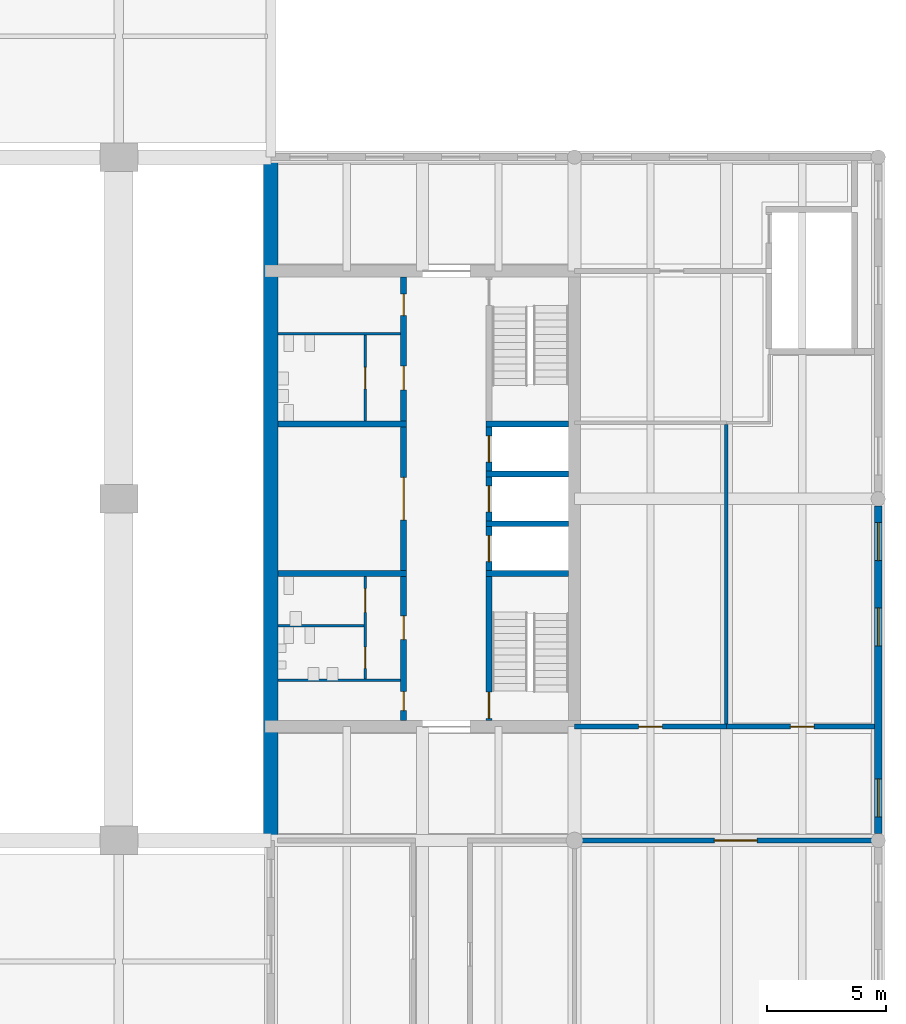
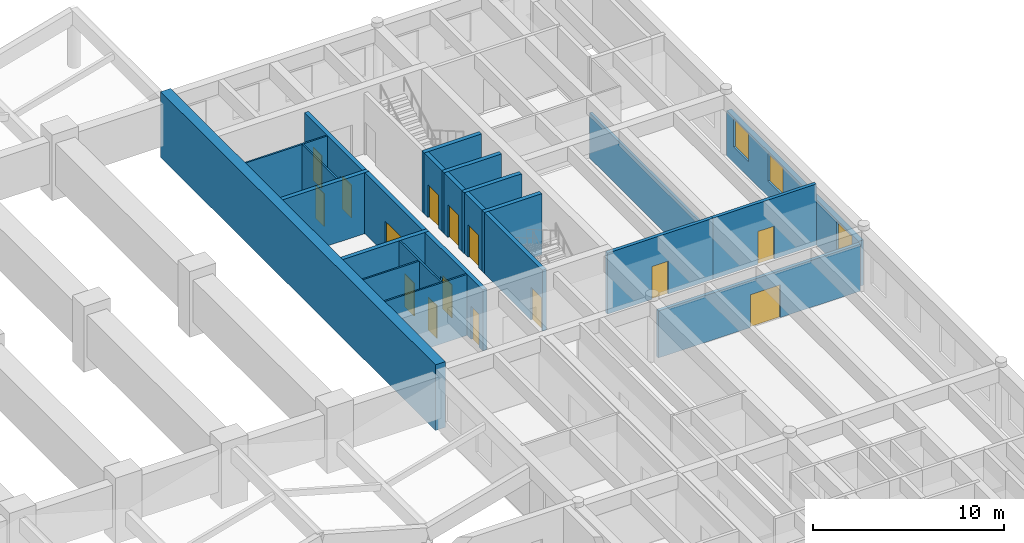
# One storey, part 12 of 19: 24 walls, 15 doors, 3 windows, 18 openings.
"""IFC4 building model written with IfcOpenShell, lengths in metres."""

import ifcopenshell
import ifcopenshell.guid

model = None  # the IFC model being written
_history = None  # IfcOwnerHistory: only IFC2X3 demands one
_inside = {}  # id of a spatial element -> (the spatial element, [elements in it])
_under = {}  # id of a project, library or spatial element -> (it, [spatial elements below it])
_declared = {}  # id of a project -> (the project, [libraries it declares])
_typed = {}  # id of a type object -> (the type object, [elements of that type])
_made_of = {}  # id of a material, layer set ... -> (it, [elements and type objects made of it])


def new_model(schema):
    """Start an empty IFC model of exactly this schema.

    Asked for "IFC4X3", IfcOpenShell would pick the latest addendum, in which some entities
    have other attributes; the version numbers below select the first issue.
    IFC2X3 requires an IfcOwnerHistory on every rooted entity: one is made here for all.
    """
    global model, _history
    if schema == "IFC4X3":
        model = ifcopenshell.file(schema_version=(4, 3, 0, 0))
    else:
        model = ifcopenshell.file(schema=schema)
    _inside.clear()
    _under.clear()
    _declared.clear()
    _typed.clear()
    _made_of.clear()
    _history = None
    if model.schema == "IFC2X3":
        org = make("IfcOrganization", Name="unknown")
        user = make(
            "IfcPersonAndOrganization",
            ThePerson=make("IfcPerson", FamilyName="unknown"),
            TheOrganization=org,
        )
        app = make(
            "IfcApplication",
            ApplicationDeveloper=org,
            Version="unknown",
            ApplicationFullName="unknown",
            ApplicationIdentifier="unknown",
        )
        _history = make(
            "IfcOwnerHistory",
            OwningUser=user,
            OwningApplication=app,
            ChangeAction="ADDED",
            CreationDate=0,
        )
    return model


def make(cls, **values):
    """One entity of the class cls with the attributes given. An attribute that is None is left unset."""
    return model.create_entity(
        cls, **{name: value for name, value in values.items() if value is not None}
    )


def rooted(cls, **values):
    """An entity with a GlobalId (a new one), such as an element, a storey or a relation."""
    return make(cls, GlobalId=ifcopenshell.guid.new(), OwnerHistory=_history, **values)


def si_unit(unit_type, name, prefix=None):
    """IfcSIUnit, for example si_unit("LENGTHUNIT", "METRE", prefix="MILLI")."""
    return make("IfcSIUnit", UnitType=unit_type, Prefix=prefix, Name=name)


def assignment(units):
    """IfcUnitAssignment: the units of a project."""
    return None if units is None else make("IfcUnitAssignment", Units=units)


def point(xyz):
    """IfcCartesianPoint."""
    return None if xyz is None else make("IfcCartesianPoint", Coordinates=xyz)


def direction(xyz):
    """IfcDirection."""
    return None if xyz is None else make("IfcDirection", DirectionRatios=xyz)


def frame(location, z_axis=None, x_axis=None):
    """IfcAxis2Placement3D, a coordinate frame: its origin and axes. An axis left out is left unset."""
    return make(
        "IfcAxis2Placement3D",
        Location=point(location),
        Axis=direction(z_axis),
        RefDirection=direction(x_axis),
    )


def frame_2d(location, x_axis=None):
    """IfcAxis2Placement2D, a coordinate frame in the plane: its origin and x axis."""
    return make(
        "IfcAxis2Placement2D", Location=point(location), RefDirection=direction(x_axis)
    )


def origin():
    """The frame at (0, 0, 0) with its axes left unset."""
    return frame((0.0, 0.0, 0.0))


def place(relative_to, where):
    """IfcLocalPlacement: puts the frame where relative to a parent placement (None: the world)."""
    return make(
        "IfcLocalPlacement", PlacementRelTo=relative_to, RelativePlacement=where
    )


def context(
    kind, dimensions, precision=None, world=None, true_north=None, identifier=None
):
    """IfcGeometricRepresentationContext, for example the 3D "Model" context."""
    return make(
        "IfcGeometricRepresentationContext",
        ContextIdentifier=identifier,
        ContextType=kind,
        CoordinateSpaceDimension=dimensions,
        Precision=precision,
        WorldCoordinateSystem=world,
        TrueNorth=true_north,
    )


def subcontext(parent, identifier, kind, view, scale=None):
    """IfcGeometricRepresentationSubContext, for example "Body" below "Model"."""
    return make(
        "IfcGeometricRepresentationSubContext",
        ContextIdentifier=identifier,
        ContextType=kind,
        ParentContext=parent,
        TargetScale=scale,
        TargetView=view,
    )


def project(units=None, contexts=None):
    """IfcProject with its units and contexts."""
    return rooted(
        "IfcProject",
        Name="project",
        RepresentationContexts=contexts,
        UnitsInContext=assignment(units),
    )


def spatial(cls, under=None, at=None, **own):
    """A site, building, storey or space (cls), placed at a placement, below another one or the project."""
    s = rooted(cls, ObjectPlacement=at, **own)
    if under is not None:
        _under.setdefault(under.id(), (under, []))[1].append(s)
    return s


def profile(cls, at=None, kind="AREA", **sizes):
    """A parametric profile (cls). Its sizes go by their IFC names, for example OverallWidth=200.0."""
    return make(cls, ProfileType=kind, Position=at, **sizes)


def rectangle(**sizes):
    """IfcRectangleProfileDef."""
    return profile("IfcRectangleProfileDef", **sizes)


def extrude(swept, where, along, depth):
    """IfcExtrudedAreaSolid: the profile swept, set in the frame where, extruded along a direction by depth."""
    return make(
        "IfcExtrudedAreaSolid",
        SweptArea=swept,
        Position=where,
        ExtrudedDirection=direction(along),
        Depth=depth,
    )


def shape(context_of_items, identifier, shape_type, items):
    """IfcShapeRepresentation: the items that make up one representation, for example the "Body"."""
    return make(
        "IfcShapeRepresentation",
        ContextOfItems=context_of_items,
        RepresentationIdentifier=identifier,
        RepresentationType=shape_type,
        Items=items,
    )


def material(Name=None, Category=None):
    """IfcMaterial."""
    return make("IfcMaterial", Name=Name, Category=Category)


def layer(
    of_material, thickness, ventilated=None, Name=None, Category=None, Priority=None
):
    """IfcMaterialLayer: one layer of a wall or slab, of a material (None: an air gap)."""
    return make(
        "IfcMaterialLayer",
        Material=of_material,
        LayerThickness=thickness,
        IsVentilated=ventilated,
        Name=Name,
        Category=Category,
        Priority=Priority,
    )


def layer_set(layers, Name=None):
    """IfcMaterialLayerSet."""
    return make("IfcMaterialLayerSet", MaterialLayers=layers, LayerSetName=Name)


def made_of(thing, what):
    """Note that an element or type object is made of a material, layer set ...; save() writes the relation."""
    if what is not None:
        _made_of.setdefault(what.id(), (what, []))[1].append(thing)
    return thing


def type_object(cls, material=None, **own):
    """A type object (cls), such as IfcWallType, which elements share."""
    return made_of(rooted(cls, **own), material)


def element(
    cls,
    number,
    at=None,
    inside=None,
    cuts=None,
    type_object=None,
    material=None,
    context=None,
    identifier="Body",
    shape_type=None,
    held_by="IfcProductDefinitionShape",
    body=None,
    shapes=None,
    **own,
):
    """One element of the class cls, such as IfcWall. Its Tag is "e" and its number.

    at: its placement. inside: the storey or other place that contains it. cuts: it is an
    opening in that element (IfcRelVoidsElement). A single representation is given by context,
    identifier, shape_type and body (its items); several are given by shapes. held_by: the class
    of the entity that holds the representations. save() writes the other relations.
    """
    e = rooted(cls, Tag="e%d" % number, ObjectPlacement=at, **own)
    if body is not None:
        shapes = [shape(context, identifier, shape_type, body)]
    if shapes is not None:
        e.Representation = make(held_by, Representations=shapes)
    if inside is not None:
        _inside.setdefault(inside.id(), (inside, []))[1].append(e)
    if cuts is not None:
        rooted(
            "IfcRelVoidsElement", RelatingBuildingElement=cuts, RelatedOpeningElement=e
        )
    if type_object is not None:
        _typed.setdefault(type_object.id(), (type_object, []))[1].append(e)
    return made_of(e, material)


def fill(opening, filler):
    """IfcRelFillsElement: the door or window that sits in an opening."""
    return rooted(
        "IfcRelFillsElement",
        RelatingOpeningElement=opening,
        RelatedBuildingElement=filler,
    )


def aggregate(whole, parts):
    """IfcRelAggregates: a whole, such as a stair, and the parts it consists of."""
    return rooted("IfcRelAggregates", RelatingObject=whole, RelatedObjects=parts)


def save(model, path):
    """Write the relations noted so far, then the file.

    IfcRelAggregates (storeys below a building ...), IfcRelContainedInSpatialStructure (elements
    in a storey), IfcRelDefinesByType, IfcRelAssociatesMaterial and IfcRelDeclares: one each for
    every whole, place, type object, material and project.
    """
    for whole, parts in _under.values():
        aggregate(whole, parts)
    for where, things in _inside.values():
        rooted(
            "IfcRelContainedInSpatialStructure",
            RelatedElements=things,
            RelatingStructure=where,
        )
    for kind, things in _typed.values():
        rooted("IfcRelDefinesByType", RelatedObjects=things, RelatingType=kind)
    for what, things in _made_of.values():
        rooted("IfcRelAssociatesMaterial", RelatedObjects=things, RelatingMaterial=what)
    for by, libraries in _declared.values():
        rooted("IfcRelDeclares", RelatingContext=by, RelatedDefinitions=libraries)
    model.write(path)


model = new_model("IFC4")

# Units and contexts
model_context = context("Model", 3, precision=1e-05, world=origin(), true_north=direction((0.0, 1.0)))
body_context = subcontext(model_context, "Body", "Model", "MODEL_VIEW")
ifc_project = project(units=[si_unit("LENGTHUNIT", "METRE"), si_unit("AREAUNIT", "SQUARE_METRE"), si_unit("VOLUMEUNIT", "CUBIC_METRE"), si_unit("PLANEANGLEUNIT", "RADIAN"), si_unit("MASSUNIT", "GRAM", prefix="KILO")], contexts=[model_context])

# Site, building, storey
site_placement = place(None, origin())
site = spatial("IfcSite", under=ifc_project, at=site_placement, CompositionType="ELEMENT")
building_placement = place(site_placement, origin())
building = spatial("IfcBuilding", under=site, at=building_placement, Name="Fogon Plaza Fire Station and Headquarters Tower", CompositionType="ELEMENT")
storey_placement = place(building_placement, frame((0.0, 0.0, 4.199951171875)))
storey = spatial("IfcBuildingStorey", under=building, at=storey_placement, Name="L01", CompositionType="ELEMENT", Elevation=4.199951171875)

# Wall
ifc_material_1 = material(Name="Acoustic Gypsum Partition")
ifc_layer_1 = layer(ifc_material_1, 0.14990234375)
ifc_layer_set_1 = layer_set([ifc_layer_1], Name="Acoustic Gypsum Partition")
wall_type_1 = type_object("IfcWallType", Name="Acoustic Partition 150 Beam Head 1000", PredefinedType="PARTITIONING", material=ifc_layer_set_1)
wall_1_placement = place(storey_placement, frame((83.199951171875, 33.699951171875, 0.0), z_axis=(0.0, 0.0, 1.0), x_axis=(0.0, 1.0, 0.0)))
element("IfcWall", 1, at=wall_1_placement, inside=storey, type_object=wall_type_1, Name="wall-L01-E-047", PredefinedType="PARTITIONING", context=body_context, shape_type="SweptSolid", body=[
    extrude(rectangle(XDim=12.625, YDim=0.14990234375, at=frame_2d((6.3125, 0.0))), origin(), (0.0, 0.0, 1.0), 2.900146484375),
])

# Wall, openings, windows
ifc_material_2 = material(Name="Concrete C40", Category="concrete")
ifc_layer_2 = layer(ifc_material_2, 0.300048828125)
ifc_layer_set_2 = layer_set([ifc_layer_2], Name="Concrete C40")
wall_type_2 = type_object("IfcWallType", Name="Board-marked RC Infill Wall 300 Beam Head 100", PredefinedType="SOLIDWALL", material=ifc_layer_set_2)
wall_2_placement = place(storey_placement, frame((89.60009765625, 29.10009765625, 0.0), z_axis=(0.0, 0.0, 1.0), x_axis=(0.0, 1.0, 0.0)))
wall_2 = element("IfcWall", 2, at=wall_2_placement, inside=storey, type_object=wall_type_2, Name="Exterior wall EE L01", PredefinedType="SOLIDWALL", context=body_context, shape_type="SweptSolid", body=[
    extrude(rectangle(XDim=13.7998046875, YDim=0.300048828125, at=frame_2d((6.89990234375, 0.0))), origin(), (0.0, 0.0, 1.0), 2.900146484375),
])
opening_1_placement = place(wall_2_placement, frame((0.699951171875, 0.0, 1.0)))
opening_1 = element("IfcOpeningElement", 3, at=opening_1_placement, cuts=wall_2, Name="Opening W1", PredefinedType="OPENING", context=body_context, shape_type="SweptSolid", body=[
    extrude(rectangle(XDim=1.60009765625, YDim=1.800048828125, at=frame_2d((0.800048828125, 0.89990234375))), frame((0.0, 0.159912109375, 0.0), z_axis=(0.0, -1.0, 0.0), x_axis=(1.0, 0.0, 0.0)), (0.0, 0.0, 1.0), 0.320068359375),
])
opening_2_placement = place(wall_2_placement, frame((7.89990234375, 0.0, 1.0)))
opening_2 = element("IfcOpeningElement", 4, at=opening_2_placement, cuts=wall_2, Name="Opening W1", PredefinedType="OPENING", context=body_context, shape_type="SweptSolid", body=[
    extrude(rectangle(XDim=1.60009765625, YDim=1.800048828125, at=frame_2d((0.800048828125, 0.89990234375))), frame((0.0, 0.159912109375, 0.0), z_axis=(0.0, -1.0, 0.0), x_axis=(1.0, 0.0, 0.0)), (0.0, 0.0, 1.0), 0.320068359375),
])
opening_3_placement = place(wall_2_placement, frame((11.5, 0.0, 1.0)))
opening_3 = element("IfcOpeningElement", 5, at=opening_3_placement, cuts=wall_2, Name="Opening W1", PredefinedType="OPENING", context=body_context, shape_type="SweptSolid", body=[
    extrude(rectangle(XDim=1.60009765625, YDim=1.800048828125, at=frame_2d((0.800048828125, 0.89990234375))), frame((0.0, 0.159912109375, 0.0), z_axis=(0.0, -1.0, 0.0), x_axis=(1.0, 0.0, 0.0)), (0.0, 0.0, 1.0), 0.320068359375),
])
ifc_material_3 = material(Name="Aluminium framed double glazing", Category="aluminium")
window_type = type_object("IfcWindowType", Name="Window W1 1600x1800", PartitioningType="SINGLE_PANEL", PredefinedType="WINDOW", material=ifc_material_3)
window_1_placement = place(opening_1_placement, origin())
window_1 = element("IfcWindow", 6, at=window_1_placement, inside=storey, type_object=window_type, Name="Window W1 E L01", OverallHeight=1.800048828125, OverallWidth=1.60009765625, PartitioningType="SINGLE_PANEL", PredefinedType="WINDOW", context=body_context, shape_type="SweptSolid", body=[
    extrude(rectangle(XDim=1.60009765625, YDim=1.800048828125, at=frame_2d((0.800048828125, 0.89990234375))), frame((0.0, 0.030029296875, 0.0), z_axis=(0.0, -1.0, 0.0), x_axis=(1.0, 0.0, 0.0)), (0.0, 0.0, 1.0), 0.06005859375),
])
fill(opening_1, window_1)
window_2_placement = place(opening_2_placement, origin())
window_2 = element("IfcWindow", 7, at=window_2_placement, inside=storey, type_object=window_type, Name="Window W1 E L01", OverallHeight=1.800048828125, OverallWidth=1.60009765625, PartitioningType="SINGLE_PANEL", PredefinedType="WINDOW", context=body_context, shape_type="SweptSolid", body=[
    extrude(rectangle(XDim=1.60009765625, YDim=1.800048828125, at=frame_2d((0.800048828125, 0.89990234375))), frame((0.0, 0.030029296875, 0.0), z_axis=(0.0, -1.0, 0.0), x_axis=(1.0, 0.0, 0.0)), (0.0, 0.0, 1.0), 0.06005859375),
])
fill(opening_2, window_2)
window_3_placement = place(opening_3_placement, origin())
window_3 = element("IfcWindow", 8, at=window_3_placement, inside=storey, type_object=window_type, Name="Window W1 E L01", OverallHeight=1.800048828125, OverallWidth=1.60009765625, PartitioningType="SINGLE_PANEL", PredefinedType="WINDOW", context=body_context, shape_type="SweptSolid", body=[
    extrude(rectangle(XDim=1.60009765625, YDim=1.800048828125, at=frame_2d((0.800048828125, 0.89990234375))), frame((0.0, 0.030029296875, 0.0), z_axis=(0.0, -1.0, 0.0), x_axis=(1.0, 0.0, 0.0)), (0.0, 0.0, 1.0), 0.06005859375),
])
fill(opening_3, window_3)

# Walls
ifc_material_4 = material(Name="Concrete C40", Category="concrete")
ifc_layer_3 = layer(ifc_material_4, 0.25)
ifc_layer_set_3 = layer_set([ifc_layer_3], Name="Concrete C40")
wall_type_3 = type_object("IfcWallType", Name="Core Wall RC 250", PredefinedType="SOLIDWALL", material=ifc_layer_set_3)
for number, where, z_axis, x_axis, name in (
    (9, (76.550048828125, 40.050048828125, 0.0), (0.0, 0.0, 1.0), (-1.0, 0.0, 0.0), "Core B shaft wall"),
    (10, (76.550048828125, 42.14990234375, 0.0), (0.0, 0.0, 1.0), (-1.0, 0.0, 0.0), "Core B shaft wall"),
    (11, (76.550048828125, 44.25, 0.0), (0.0, 0.0, 1.0), (-1.0, 0.0, 0.0), "Core B shaft wall"),
    (12, (76.550048828125, 46.35009765625, 0.0), (0.0, 0.0, 1.0), (-1.0, 0.0, 0.0), "Core B shaft wall"),
):
    element("IfcWall", number, at=place(storey_placement, frame(where, z_axis=z_axis, x_axis=x_axis)), inside=storey, type_object=wall_type_3, Name=name, PredefinedType="SOLIDWALL", context=body_context, shape_type="SweptSolid", body=[
        extrude(rectangle(XDim=3.47509765625, YDim=0.25, at=frame_2d((1.737548828125, 0.0))), origin(), (0.0, 0.0, 1.0), 3.900146484375),
    ])

# Wall, opening, door
wall_3_placement = place(storey_placement, frame((73.199951171875, 33.85009765625, 0.0), z_axis=(0.0, 0.0, 1.0), x_axis=(0.0, 1.0, 0.0)))
wall_3 = element("IfcWall", 13, at=wall_3_placement, inside=storey, type_object=wall_type_3, Name="Core B shaft wall", PredefinedType="SOLIDWALL", context=body_context, shape_type="SweptSolid", body=[
    extrude(rectangle(XDim=6.074951171875, YDim=0.25, at=frame_2d((3.03759765625, 0.0))), origin(), (0.0, 0.0, 1.0), 3.900146484375),
])
opening_4_placement = place(wall_3_placement, frame((0.10009765625, 0.0, 0.0)))
opening_4 = element("IfcOpeningElement", 14, at=opening_4_placement, cuts=wall_3, Name="Opening L01-D16", PredefinedType="OPENING", context=body_context, shape_type="SweptSolid", body=[
    extrude(rectangle(XDim=1.10009765625, YDim=2.10009765625, at=frame_2d((0.550048828125, 1.050048828125))), frame((0.0, 0.135009765625, 0.0), z_axis=(0.0, -1.0, 0.0), x_axis=(1.0, 0.0, 0.0)), (0.0, 0.0, 1.0), 0.27001953125),
])
ifc_material_5 = material(Name="Steel Fire Door Leaf", Category="steel")
door_type_1 = type_object("IfcDoorType", Name="Stair Door Single 1100x2100", OperationType="SINGLE_SWING_LEFT", PredefinedType="DOOR", material=ifc_material_5)
door_1_placement = place(opening_4_placement, frame((1.10009765625, 0.0, 0.0), z_axis=(0.0, 0.0, 1.0), x_axis=(-1.0, 0.0, 0.0)))
door_1 = element("IfcDoor", 15, at=door_1_placement, inside=storey, type_object=door_type_1, Name="Stair door ST3", OperationType="SINGLE_SWING_RIGHT", OverallHeight=2.10009765625, OverallWidth=1.10009765625, PredefinedType="DOOR", context=body_context, shape_type="SweptSolid", body=[
    extrude(rectangle(XDim=1.10009765625, YDim=2.10009765625, at=frame_2d((0.550048828125, 1.050048828125))), frame((0.0, 0.02490234375, 0.0), z_axis=(0.0, -1.0, 0.0), x_axis=(1.0, 0.0, 0.0)), (0.0, 0.0, 1.0), 0.050048828125),
])
fill(opening_4, door_1)

wall_4_placement = place(storey_placement, frame((73.199951171875, 40.175048828125, 0.0), z_axis=(0.0, 0.0, 1.0), x_axis=(0.0, 1.0, 0.0)))
wall_4 = element("IfcWall", 16, at=wall_4_placement, inside=storey, type_object=wall_type_3, Name="Core B shaft wall", PredefinedType="SOLIDWALL", context=body_context, shape_type="SweptSolid", body=[
    extrude(rectangle(XDim=1.849853515625, YDim=0.25, at=frame_2d((0.9248046875, 0.0))), origin(), (0.0, 0.0, 1.0), 3.900146484375),
])
opening_5_placement = place(wall_4_placement, frame((0.375, 0.0, 0.0)))
opening_5 = element("IfcOpeningElement", 17, at=opening_5_placement, cuts=wall_4, Name="Opening L01-D18", PredefinedType="OPENING", context=body_context, shape_type="SweptSolid", body=[
    extrude(rectangle(XDim=1.10009765625, YDim=2.10009765625, at=frame_2d((0.550048828125, 1.050048828125))), frame((0.0, 0.135009765625, 0.0), z_axis=(0.0, -1.0, 0.0), x_axis=(1.0, 0.0, 0.0)), (0.0, 0.0, 1.0), 0.27001953125),
])
ifc_material_6 = material(Name="Stainless Steel", Category="steel")
door_type_2 = type_object("IfcDoorType", Name="Lift Landing Door 1100x2100", OperationType="SLIDING_TO_LEFT", PredefinedType="DOOR", material=ifc_material_6)
door_2_placement = place(opening_5_placement, origin())
door_2 = element("IfcDoor", 18, at=door_2_placement, inside=storey, type_object=door_type_2, Name="Lift LP3 landing door", OperationType="SLIDING_TO_LEFT", OverallHeight=2.10009765625, OverallWidth=1.10009765625, PredefinedType="DOOR", context=body_context, shape_type="SweptSolid", body=[
    extrude(rectangle(XDim=1.10009765625, YDim=2.10009765625, at=frame_2d((0.550048828125, 1.050048828125))), frame((0.0, 0.02490234375, 0.0), z_axis=(0.0, -1.0, 0.0), x_axis=(1.0, 0.0, 0.0)), (0.0, 0.0, 1.0), 0.050048828125),
])
fill(opening_5, door_2)

wall_5_placement = place(storey_placement, frame((73.199951171875, 42.27490234375, 0.0), z_axis=(0.0, 0.0, 1.0), x_axis=(0.0, 1.0, 0.0)))
wall_5 = element("IfcWall", 19, at=wall_5_placement, inside=storey, type_object=wall_type_3, Name="Core B shaft wall", PredefinedType="SOLIDWALL", context=body_context, shape_type="SweptSolid", body=[
    extrude(rectangle(XDim=1.85009765625, YDim=0.25, at=frame_2d((0.925048828125, 0.0))), origin(), (0.0, 0.0, 1.0), 3.900146484375),
])
opening_6_placement = place(wall_5_placement, frame((0.375, 0.0, 0.0)))
opening_6 = element("IfcOpeningElement", 20, at=opening_6_placement, cuts=wall_5, Name="Opening L01-D19", PredefinedType="OPENING", context=body_context, shape_type="SweptSolid", body=[
    extrude(rectangle(XDim=1.10009765625, YDim=2.10009765625, at=frame_2d((0.550048828125, 1.050048828125))), frame((0.0, 0.135009765625, 0.0), z_axis=(0.0, -1.0, 0.0), x_axis=(1.0, 0.0, 0.0)), (0.0, 0.0, 1.0), 0.27001953125),
])
door_3_placement = place(opening_6_placement, origin())
door_3 = element("IfcDoor", 21, at=door_3_placement, inside=storey, type_object=door_type_2, Name="Lift LP4 landing door", OperationType="SLIDING_TO_LEFT", OverallHeight=2.10009765625, OverallWidth=1.10009765625, PredefinedType="DOOR", context=body_context, shape_type="SweptSolid", body=[
    extrude(rectangle(XDim=1.10009765625, YDim=2.10009765625, at=frame_2d((0.550048828125, 1.050048828125))), frame((0.0, 0.02490234375, 0.0), z_axis=(0.0, -1.0, 0.0), x_axis=(1.0, 0.0, 0.0)), (0.0, 0.0, 1.0), 0.050048828125),
])
fill(opening_6, door_3)

wall_6_placement = place(storey_placement, frame((73.199951171875, 44.375, 0.0), z_axis=(0.0, 0.0, 1.0), x_axis=(0.0, 1.0, 0.0)))
wall_6 = element("IfcWall", 22, at=wall_6_placement, inside=storey, type_object=wall_type_3, Name="Core B shaft wall", PredefinedType="SOLIDWALL", context=body_context, shape_type="SweptSolid", body=[
    extrude(rectangle(XDim=1.85009765625, YDim=0.25, at=frame_2d((0.925048828125, 0.0))), origin(), (0.0, 0.0, 1.0), 3.900146484375),
])
opening_7_placement = place(wall_6_placement, frame((0.375, 0.0, 0.0)))
opening_7 = element("IfcOpeningElement", 23, at=opening_7_placement, cuts=wall_6, Name="Opening L01-D20", PredefinedType="OPENING", context=body_context, shape_type="SweptSolid", body=[
    extrude(rectangle(XDim=1.10009765625, YDim=2.10009765625, at=frame_2d((0.550048828125, 1.050048828125))), frame((0.0, 0.135009765625, 0.0), z_axis=(0.0, -1.0, 0.0), x_axis=(1.0, 0.0, 0.0)), (0.0, 0.0, 1.0), 0.27001953125),
])
door_4_placement = place(opening_7_placement, origin())
door_4 = element("IfcDoor", 24, at=door_4_placement, inside=storey, type_object=door_type_2, Name="Lift FL2 landing door", OperationType="SLIDING_TO_LEFT", OverallHeight=2.10009765625, OverallWidth=1.10009765625, PredefinedType="DOOR", context=body_context, shape_type="SweptSolid", body=[
    extrude(rectangle(XDim=1.10009765625, YDim=2.10009765625, at=frame_2d((0.550048828125, 1.050048828125))), frame((0.0, 0.02490234375, 0.0), z_axis=(0.0, -1.0, 0.0), x_axis=(1.0, 0.0, 0.0)), (0.0, 0.0, 1.0), 0.050048828125),
])
fill(opening_7, door_4)

# Wall, openings, doors
wall_7_placement = place(storey_placement, frame((69.60009765625, 33.85009765625, 0.0), z_axis=(0.0, 0.0, 1.0), x_axis=(0.0, 1.0, 0.0)))
wall_7 = element("IfcWall", 25, at=wall_7_placement, inside=storey, type_object=wall_type_3, Name="Core B shaft wall", PredefinedType="SOLIDWALL", context=body_context, shape_type="SweptSolid", body=[
    extrude(rectangle(XDim=6.074951171875, YDim=0.25, at=frame_2d((3.03759765625, 0.0))), origin(), (0.0, 0.0, 1.0), 3.900146484375),
])
opening_8_placement = place(wall_7_placement, frame((0.425048828125, 0.0, 0.0)))
opening_8 = element("IfcOpeningElement", 26, at=opening_8_placement, cuts=wall_7, Name="Opening L01-D22", PredefinedType="OPENING", context=body_context, shape_type="SweptSolid", body=[
    extrude(rectangle(XDim=0.800048828125, YDim=2.10009765625, at=frame_2d((0.39990234375, 1.050048828125))), frame((0.0, 0.135009765625, 0.0), z_axis=(0.0, -1.0, 0.0), x_axis=(1.0, 0.0, 0.0)), (0.0, 0.0, 1.0), 0.27001953125),
])
opening_9_placement = place(wall_7_placement, frame((3.41259765625, 0.0, 0.0)))
opening_9 = element("IfcOpeningElement", 27, at=opening_9_placement, cuts=wall_7, Name="Opening L01-D23", PredefinedType="OPENING", context=body_context, shape_type="SweptSolid", body=[
    extrude(rectangle(XDim=1.0, YDim=2.10009765625, at=frame_2d((0.5, 1.050048828125))), frame((0.0, 0.135009765625, 0.0), z_axis=(0.0, -1.0, 0.0), x_axis=(1.0, 0.0, 0.0)), (0.0, 0.0, 1.0), 0.27001953125),
])
ifc_material_7 = material(Name="Timber Door Leaf", Category="wood")
door_type_3 = type_object("IfcDoorType", Name="Cleaner Store Single 800x2100", OperationType="SINGLE_SWING_LEFT", PredefinedType="DOOR", material=ifc_material_7)
door_5_placement = place(opening_8_placement, origin())
door_5 = element("IfcDoor", 28, at=door_5_placement, inside=storey, type_object=door_type_3, Name="Cleaner's store B door", OperationType="SINGLE_SWING_RIGHT", OverallHeight=2.10009765625, OverallWidth=0.800048828125, PredefinedType="DOOR", context=body_context, shape_type="SweptSolid", body=[
    extrude(rectangle(XDim=0.800048828125, YDim=2.10009765625, at=frame_2d((0.39990234375, 1.050048828125))), frame((0.0, 0.02490234375, 0.0), z_axis=(0.0, -1.0, 0.0), x_axis=(1.0, 0.0, 0.0)), (0.0, 0.0, 1.0), 0.050048828125),
])
fill(opening_8, door_5)
ifc_material_8 = material(Name="Timber fire door", Category="wood")
door_type_4 = type_object("IfcDoorType", Name="WC Lobby Single 1000x2100", OperationType="SINGLE_SWING_LEFT", PredefinedType="DOOR", material=ifc_material_8)
door_6_placement = place(opening_9_placement, origin())
door_6 = element("IfcDoor", 29, at=door_6_placement, inside=storey, type_object=door_type_4, Name="Men's WC lobby B door", OperationType="SINGLE_SWING_LEFT", OverallHeight=2.10009765625, OverallWidth=1.0, PredefinedType="DOOR", context=body_context, shape_type="SweptSolid", body=[
    extrude(rectangle(XDim=1.0, YDim=2.10009765625, at=frame_2d((0.5, 1.050048828125))), frame((0.0, 0.02490234375, 0.0), z_axis=(0.0, -1.0, 0.0), x_axis=(1.0, 0.0, 0.0)), (0.0, 0.0, 1.0), 0.050048828125),
])
fill(opening_9, door_6)

# Wall, opening, door
wall_8_placement = place(storey_placement, frame((69.60009765625, 40.175048828125, 0.0), z_axis=(0.0, 0.0, 1.0), x_axis=(0.0, 1.0, 0.0)))
wall_8 = element("IfcWall", 30, at=wall_8_placement, inside=storey, type_object=wall_type_3, Name="Core B shaft wall", PredefinedType="SOLIDWALL", context=body_context, shape_type="SweptSolid", body=[
    extrude(rectangle(XDim=6.050048828125, YDim=0.25, at=frame_2d((3.02490234375, 0.0))), origin(), (0.0, 0.0, 1.0), 3.900146484375),
])
opening_10_placement = place(wall_8_placement, frame((2.125, 0.0, 0.0)))
opening_10 = element("IfcOpeningElement", 31, at=opening_10_placement, cuts=wall_8, Name="Opening L01-D21", PredefinedType="OPENING", context=body_context, shape_type="SweptSolid", body=[
    extrude(rectangle(XDim=1.800048828125, YDim=2.10009765625, at=frame_2d((0.89990234375, 1.050048828125))), frame((0.0, 0.135009765625, 0.0), z_axis=(0.0, -1.0, 0.0), x_axis=(1.0, 0.0, 0.0)), (0.0, 0.0, 1.0), 0.27001953125),
])
ifc_material_9 = material(Name="Steel Fire Door Leaf", Category="steel")
door_type_5 = type_object("IfcDoorType", Name="Store Double 1800x2100", OperationType="DOUBLE_DOOR_SINGLE_SWING", PredefinedType="DOOR", material=ifc_material_9)
door_7_placement = place(opening_10_placement, origin())
door_7 = element("IfcDoor", 32, at=door_7_placement, inside=storey, type_object=door_type_5, Name="Service store B door", OperationType="DOUBLE_DOOR_SINGLE_SWING", OverallHeight=2.10009765625, OverallWidth=1.800048828125, PredefinedType="DOOR", context=body_context, shape_type="SweptSolid", body=[
    extrude(rectangle(XDim=1.800048828125, YDim=2.10009765625, at=frame_2d((0.89990234375, 1.050048828125))), frame((0.0, 0.02490234375, 0.0), z_axis=(0.0, -1.0, 0.0), x_axis=(1.0, 0.0, 0.0)), (0.0, 0.0, 1.0), 0.050048828125),
])
fill(opening_10, door_7)

# Wall, openings, doors
wall_9_placement = place(storey_placement, frame((69.60009765625, 46.47509765625, 0.0), z_axis=(0.0, 0.0, 1.0), x_axis=(0.0, 1.0, 0.0)))
wall_9 = element("IfcWall", 33, at=wall_9_placement, inside=storey, type_object=wall_type_3, Name="Core B shaft wall", PredefinedType="SOLIDWALL", context=body_context, shape_type="SweptSolid", body=[
    extrude(rectangle(XDim=6.074951171875, YDim=0.25, at=frame_2d((3.03759765625, 0.0))), origin(), (0.0, 0.0, 1.0), 3.900146484375),
])
opening_11_placement = place(wall_9_placement, frame((1.3125, 0.0, 0.0)))
opening_11 = element("IfcOpeningElement", 34, at=opening_11_placement, cuts=wall_9, Name="Opening L01-D26", PredefinedType="OPENING", context=body_context, shape_type="SweptSolid", body=[
    extrude(rectangle(XDim=1.0, YDim=2.10009765625, at=frame_2d((0.5, 1.050048828125))), frame((0.0, 0.135009765625, 0.0), z_axis=(0.0, -1.0, 0.0), x_axis=(1.0, 0.0, 0.0)), (0.0, 0.0, 1.0), 0.27001953125),
])
opening_12_placement = place(wall_9_placement, frame((4.449951171875, 0.0, 0.0)))
opening_12 = element("IfcOpeningElement", 35, at=opening_12_placement, cuts=wall_9, Name="Opening L01-D28", PredefinedType="OPENING", context=body_context, shape_type="SweptSolid", body=[
    extrude(rectangle(XDim=0.89990234375, YDim=2.10009765625, at=frame_2d((0.449951171875, 1.050048828125))), frame((0.0, 0.135009765625, 0.0), z_axis=(0.0, -1.0, 0.0), x_axis=(1.0, 0.0, 0.0)), (0.0, 0.0, 1.0), 0.27001953125),
])
ifc_material_10 = material(Name="Steel Fire Door Leaf", Category="steel")
door_type_6 = type_object("IfcDoorType", Name="Riser Single 900x2100", OperationType="SINGLE_SWING_LEFT", PredefinedType="DOOR", material=ifc_material_10)
door_8_placement = place(opening_12_placement, origin())
door_8 = element("IfcDoor", 36, at=door_8_placement, inside=storey, type_object=door_type_6, Name="Riser room B door", OperationType="SINGLE_SWING_RIGHT", OverallHeight=2.10009765625, OverallWidth=0.89990234375, PredefinedType="DOOR", context=body_context, shape_type="SweptSolid", body=[
    extrude(rectangle(XDim=0.89990234375, YDim=2.10009765625, at=frame_2d((0.449951171875, 1.050048828125))), frame((0.0, 0.02490234375, 0.0), z_axis=(0.0, -1.0, 0.0), x_axis=(1.0, 0.0, 0.0)), (0.0, 0.0, 1.0), 0.050048828125),
])
fill(opening_12, door_8)
door_9_placement = place(opening_11_placement, origin())
door_9 = element("IfcDoor", 37, at=door_9_placement, inside=storey, type_object=door_type_4, Name="Women's WC lobby B door", OperationType="SINGLE_SWING_RIGHT", OverallHeight=2.10009765625, OverallWidth=1.0, PredefinedType="DOOR", context=body_context, shape_type="SweptSolid", body=[
    extrude(rectangle(XDim=1.0, YDim=2.10009765625, at=frame_2d((0.5, 1.050048828125))), frame((0.0, 0.02490234375, 0.0), z_axis=(0.0, -1.0, 0.0), x_axis=(1.0, 0.0, 0.0)), (0.0, 0.0, 1.0), 0.050048828125),
])
fill(opening_11, door_9)

# Walls
for number, where, z_axis, x_axis, name in (
    (38, (69.72509765625, 40.050048828125, 0.0), (0.0, 0.0, 1.0), (-1.0, 0.0, 0.0), "Core B shaft wall"),
    (39, (69.72509765625, 46.35009765625, 0.0), (0.0, 0.0, 1.0), (-1.0, 0.0, 0.0), "Core B shaft wall"),
):
    element("IfcWall", number, at=place(storey_placement, frame(where, z_axis=z_axis, x_axis=x_axis)), inside=storey, type_object=wall_type_3, Name=name, PredefinedType="SOLIDWALL", context=body_context, shape_type="SweptSolid", body=[
        extrude(rectangle(XDim=5.425048828125, YDim=0.25, at=frame_2d((2.71240234375, 0.0))), origin(), (0.0, 0.0, 1.0), 3.900146484375),
    ])

# Wall, opening, door
ifc_material_11 = material(Name="Gypsum Board Fire Partition")
ifc_layer_4 = layer(ifc_material_11, 0.199951171875)
ifc_layer_set_4 = layer_set([ifc_layer_4], Name="Gypsum Board Fire Partition")
wall_type_4 = type_object("IfcWallType", Name="Corridor Wall EI 60", PredefinedType="PARTITIONING", material=ifc_layer_set_4)
wall_10_placement = place(storey_placement, frame((89.449951171875, 33.60009765625, 0.0), z_axis=(0.0, 0.0, 1.0), x_axis=(-1.0, 0.0, 0.0)))
wall_10 = element("IfcWall", 40, at=wall_10_placement, inside=storey, type_object=wall_type_4, Name="wall-L01-E-028", PredefinedType="PARTITIONING", context=body_context, shape_type="SweptSolid", body=[
    extrude(rectangle(XDim=6.25, YDim=0.199951171875, at=frame_2d((3.125, 0.0))), origin(), (0.0, 0.0, 1.0), 3.900146484375),
])
opening_13_placement = place(wall_10_placement, frame((2.550048828125, 0.0, 0.0)))
opening_13 = element("IfcOpeningElement", 41, at=opening_13_placement, cuts=wall_10, Name="Opening L01-D77", PredefinedType="OPENING", context=body_context, shape_type="SweptSolid", body=[
    extrude(rectangle(XDim=1.0, YDim=2.10009765625, at=frame_2d((0.5, 1.050048828125))), frame((0.0, 0.10986328125, 0.0), z_axis=(0.0, -1.0, 0.0), x_axis=(1.0, 0.0, 0.0)), (0.0, 0.0, 1.0), 0.219970703125),
])
ifc_material_12 = material(Name="Steel Fire Door Leaf", Category="steel")
door_type_7 = type_object("IfcDoorType", Name="Corridor Door EI 20 1000x2100", OperationType="SINGLE_SWING_LEFT", PredefinedType="DOOR", material=ifc_material_12)
door_10_placement = place(opening_13_placement, frame((1.0, 0.0, 0.0), z_axis=(0.0, 0.0, 1.0), x_axis=(-1.0, 0.0, 0.0)))
door_10 = element("IfcDoor", 42, at=door_10_placement, inside=storey, type_object=door_type_7, Name="door-L01-E-19", OperationType="SINGLE_SWING_RIGHT", OverallHeight=2.10009765625, OverallWidth=1.0, PredefinedType="DOOR", context=body_context, shape_type="SweptSolid", body=[
    extrude(rectangle(XDim=1.0, YDim=2.10009765625, at=frame_2d((0.5, 1.050048828125))), frame((0.0, 0.02490234375, 0.0), z_axis=(0.0, -1.0, 0.0), x_axis=(1.0, 0.0, 0.0)), (0.0, 0.0, 1.0), 0.050048828125),
])
fill(opening_13, door_10)

wall_11_placement = place(storey_placement, frame((83.199951171875, 33.60009765625, 0.0), z_axis=(0.0, 0.0, 1.0), x_axis=(-1.0, 0.0, 0.0)))
wall_11 = element("IfcWall", 43, at=wall_11_placement, inside=storey, type_object=wall_type_4, Name="wall-L01-E-029", PredefinedType="PARTITIONING", context=body_context, shape_type="SweptSolid", body=[
    extrude(rectangle(XDim=6.39990234375, YDim=0.199951171875, at=frame_2d((3.199951171875, 0.0))), origin(), (0.0, 0.0, 1.0), 3.900146484375),
])
opening_14_placement = place(wall_11_placement, frame((2.699951171875, 0.0, 0.0)))
opening_14 = element("IfcOpeningElement", 44, at=opening_14_placement, cuts=wall_11, Name="Opening L01-D78", PredefinedType="OPENING", context=body_context, shape_type="SweptSolid", body=[
    extrude(rectangle(XDim=1.0, YDim=2.10009765625, at=frame_2d((0.5, 1.050048828125))), frame((0.0, 0.10986328125, 0.0), z_axis=(0.0, -1.0, 0.0), x_axis=(1.0, 0.0, 0.0)), (0.0, 0.0, 1.0), 0.219970703125),
])
door_11_placement = place(opening_14_placement, frame((1.0, 0.0, 0.0), z_axis=(0.0, 0.0, 1.0), x_axis=(-1.0, 0.0, 0.0)))
door_11 = element("IfcDoor", 45, at=door_11_placement, inside=storey, type_object=door_type_7, Name="door-L01-E-20", OperationType="SINGLE_SWING_LEFT", OverallHeight=2.10009765625, OverallWidth=1.0, PredefinedType="DOOR", context=body_context, shape_type="SweptSolid", body=[
    extrude(rectangle(XDim=1.0, YDim=2.10009765625, at=frame_2d((0.5, 1.050048828125))), frame((0.0, 0.02490234375, 0.0), z_axis=(0.0, -1.0, 0.0), x_axis=(1.0, 0.0, 0.0)), (0.0, 0.0, 1.0), 0.050048828125),
])
fill(opening_14, door_11)

ifc_material_13 = material(Name="Gypsum Board Fire Partition")
ifc_layer_5 = layer(ifc_material_13, 0.199951171875)
ifc_layer_set_5 = layer_set([ifc_layer_5], Name="Gypsum Board Fire Partition")
wall_type_5 = type_object("IfcWallType", Name="Corridor Wall EI 60 Beam Head 900", PredefinedType="PARTITIONING", material=ifc_layer_set_5)
wall_12_placement = place(storey_placement, frame((89.330078125, 28.800048828125, 0.0), z_axis=(0.0, 0.0, 1.0), x_axis=(-1.0, 0.0, 0.0)))
wall_12 = element("IfcWall", 46, at=wall_12_placement, inside=storey, type_object=wall_type_5, Name="wall-L01-E-025", PredefinedType="PARTITIONING", context=body_context, shape_type="SweptSolid", body=[
    extrude(rectangle(XDim=12.2099609375, YDim=0.199951171875, at=frame_2d((6.10498046875, 0.0))), origin(), (0.0, 0.0, 1.0), 3.0),
])
opening_15_placement = place(wall_12_placement, frame((4.830078125, 0.0, 0.0)))
opening_15 = element("IfcOpeningElement", 47, at=opening_15_placement, cuts=wall_12, Name="Opening L01-D74", PredefinedType="OPENING", context=body_context, shape_type="SweptSolid", body=[
    extrude(rectangle(XDim=1.800048828125, YDim=2.10009765625, at=frame_2d((0.89990234375, 1.050048828125))), frame((0.0, 0.10986328125, 0.0), z_axis=(0.0, -1.0, 0.0), x_axis=(1.0, 0.0, 0.0)), (0.0, 0.0, 1.0), 0.219970703125),
])
ifc_material_14 = material(Name="Steel Fire Door Leaf", Category="steel")
door_type_8 = type_object("IfcDoorType", Name="Corridor Door Double EI 20 1800x2100", OperationType="SINGLE_SWING_LEFT", PredefinedType="DOOR", material=ifc_material_14)
door_12_placement = place(opening_15_placement, frame((1.800048828125, 0.0, 0.0), z_axis=(0.0, 0.0, 1.0), x_axis=(-1.0, 0.0, 0.0)))
door_12 = element("IfcDoor", 48, at=door_12_placement, inside=storey, type_object=door_type_8, Name="door-L01-E-16", OperationType="DOUBLE_DOOR_SINGLE_SWING", OverallHeight=2.10009765625, OverallWidth=1.800048828125, PredefinedType="DOOR", context=body_context, shape_type="SweptSolid", body=[
    extrude(rectangle(XDim=1.800048828125, YDim=2.10009765625, at=frame_2d((0.89990234375, 1.050048828125))), frame((0.0, 0.02490234375, 0.0), z_axis=(0.0, -1.0, 0.0), x_axis=(1.0, 0.0, 0.0)), (0.0, 0.0, 1.0), 0.050048828125),
])
fill(opening_15, door_12)

# Wall
ifc_material_15 = material(Name="Blockwork", Category="masonry")
ifc_layer_6 = layer(ifc_material_15, 0.10009765625)
ifc_layer_set_6 = layer_set([ifc_layer_6], Name="Blockwork")
wall_type_6 = type_object("IfcWallType", Name="Partition Blockwork 100", PredefinedType="PARTITIONING", material=ifc_layer_set_6)
wall_13_placement = place(storey_placement, frame((69.47509765625, 35.550048828125, 0.0), z_axis=(0.0, 0.0, 1.0), x_axis=(-1.0, 0.0, 0.0)))
element("IfcWall", 49, at=wall_13_placement, inside=storey, type_object=wall_type_6, Name="Cleaner's store partition", PredefinedType="PARTITIONING", context=body_context, shape_type="SweptSolid", body=[
    extrude(rectangle(XDim=5.175048828125, YDim=0.10009765625, at=frame_2d((2.58740234375, 0.0))), origin(), (0.0, 0.0, 1.0), 3.900146484375),
])

# Wall, openings, doors
wall_14_placement = place(storey_placement, frame((67.97509765625, 35.60009765625, 0.0), z_axis=(0.0, 0.0, 1.0), x_axis=(0.0, 1.0, 0.0)))
wall_14 = element("IfcWall", 50, at=wall_14_placement, inside=storey, type_object=wall_type_6, Name="WC block partition", PredefinedType="PARTITIONING", context=body_context, shape_type="SweptSolid", body=[
    extrude(rectangle(XDim=4.324951171875, YDim=0.10009765625, at=frame_2d((2.16259765625, 0.0))), origin(), (0.0, 0.0, 1.0), 3.900146484375),
])
opening_16_placement = place(wall_14_placement, frame((0.449951171875, 0.0, 0.0)))
opening_16 = element("IfcOpeningElement", 51, at=opening_16_placement, cuts=wall_14, Name="Opening L01-D24", PredefinedType="OPENING", context=body_context, shape_type="SweptSolid", body=[
    extrude(rectangle(XDim=0.89990234375, YDim=2.10009765625, at=frame_2d((0.449951171875, 1.050048828125))), frame((0.0, 0.06005859375, 0.0), z_axis=(0.0, -1.0, 0.0), x_axis=(1.0, 0.0, 0.0)), (0.0, 0.0, 1.0), 0.1201171875),
])
opening_17_placement = place(wall_14_placement, frame((2.8125, 0.0, 0.0)))
opening_17 = element("IfcOpeningElement", 52, at=opening_17_placement, cuts=wall_14, Name="Opening L01-D25", PredefinedType="OPENING", context=body_context, shape_type="SweptSolid", body=[
    extrude(rectangle(XDim=1.0, YDim=2.10009765625, at=frame_2d((0.5, 1.050048828125))), frame((0.0, 0.06005859375, 0.0), z_axis=(0.0, -1.0, 0.0), x_axis=(1.0, 0.0, 0.0)), (0.0, 0.0, 1.0), 0.1201171875),
])
ifc_material_16 = material(Name="Timber Door Leaf", Category="wood")
door_type_9 = type_object("IfcDoorType", Name="Accessible WC Single 1000x2100", OperationType="SINGLE_SWING_LEFT", PredefinedType="DOOR", material=ifc_material_16)
door_13_placement = place(opening_17_placement, origin())
door_13 = element("IfcDoor", 53, at=door_13_placement, inside=storey, type_object=door_type_9, Name="Accessible WC B door", OperationType="SINGLE_SWING_LEFT", OverallHeight=2.10009765625, OverallWidth=1.0, PredefinedType="DOOR", context=body_context, shape_type="SweptSolid", body=[
    extrude(rectangle(XDim=1.0, YDim=2.10009765625, at=frame_2d((0.5, 1.050048828125))), frame((0.0, 0.02490234375, 0.0), z_axis=(0.0, -1.0, 0.0), x_axis=(1.0, 0.0, 0.0)), (0.0, 0.0, 1.0), 0.050048828125),
])
fill(opening_17, door_13)
ifc_material_17 = material(Name="Timber Door Leaf", Category="wood")
door_type_10 = type_object("IfcDoorType", Name="WC Single 900x2100", OperationType="SINGLE_SWING_LEFT", PredefinedType="DOOR", material=ifc_material_17)
door_14_placement = place(opening_16_placement, origin())
door_14 = element("IfcDoor", 54, at=door_14_placement, inside=storey, type_object=door_type_10, Name="Men's WC B door", OperationType="SINGLE_SWING_LEFT", OverallHeight=2.10009765625, OverallWidth=0.89990234375, PredefinedType="DOOR", context=body_context, shape_type="SweptSolid", body=[
    extrude(rectangle(XDim=0.89990234375, YDim=2.10009765625, at=frame_2d((0.449951171875, 1.050048828125))), frame((0.0, 0.02490234375, 0.0), z_axis=(0.0, -1.0, 0.0), x_axis=(1.0, 0.0, 0.0)), (0.0, 0.0, 1.0), 0.050048828125),
])
fill(opening_16, door_14)

# Wall
wall_15_placement = place(storey_placement, frame((67.925048828125, 37.85009765625, 0.0), z_axis=(0.0, 0.0, 1.0), x_axis=(-1.0, 0.0, 0.0)))
element("IfcWall", 55, at=wall_15_placement, inside=storey, type_object=wall_type_6, Name="WC block partition", PredefinedType="PARTITIONING", context=body_context, shape_type="SweptSolid", body=[
    extrude(rectangle(XDim=3.625, YDim=0.10009765625, at=frame_2d((1.8125, 0.0))), origin(), (0.0, 0.0, 1.0), 3.900146484375),
])

# Wall, opening, door
wall_16_placement = place(storey_placement, frame((67.97509765625, 46.47509765625, 0.0), z_axis=(0.0, 0.0, 1.0), x_axis=(0.0, 1.0, 0.0)))
wall_16 = element("IfcWall", 56, at=wall_16_placement, inside=storey, type_object=wall_type_6, Name="WC block partition", PredefinedType="PARTITIONING", context=body_context, shape_type="SweptSolid", body=[
    extrude(rectangle(XDim=3.625, YDim=0.10009765625, at=frame_2d((1.8125, 0.0))), origin(), (0.0, 0.0, 1.0), 3.900146484375),
])
opening_18_placement = place(wall_16_placement, frame((1.362548828125, 0.0, 0.0)))
opening_18 = element("IfcOpeningElement", 57, at=opening_18_placement, cuts=wall_16, Name="Opening L01-D27", PredefinedType="OPENING", context=body_context, shape_type="SweptSolid", body=[
    extrude(rectangle(XDim=0.89990234375, YDim=2.10009765625, at=frame_2d((0.449951171875, 1.050048828125))), frame((0.0, 0.06005859375, 0.0), z_axis=(0.0, -1.0, 0.0), x_axis=(1.0, 0.0, 0.0)), (0.0, 0.0, 1.0), 0.1201171875),
])
door_15_placement = place(opening_18_placement, origin())
door_15 = element("IfcDoor", 58, at=door_15_placement, inside=storey, type_object=door_type_10, Name="Women's WC B door", OperationType="SINGLE_SWING_LEFT", OverallHeight=2.10009765625, OverallWidth=0.89990234375, PredefinedType="DOOR", context=body_context, shape_type="SweptSolid", body=[
    extrude(rectangle(XDim=0.89990234375, YDim=2.10009765625, at=frame_2d((0.449951171875, 1.050048828125))), frame((0.0, 0.02490234375, 0.0), z_axis=(0.0, -1.0, 0.0), x_axis=(1.0, 0.0, 0.0)), (0.0, 0.0, 1.0), 0.050048828125),
])
fill(opening_18, door_15)

# Walls
ifc_material_18 = material(Name="Blockwork", Category="masonry")
ifc_layer_7 = layer(ifc_material_18, 0.10009765625)
ifc_layer_set_7 = layer_set([ifc_layer_7], Name="Blockwork")
wall_type_7 = type_object("IfcWallType", Name="Riser Partition Blockwork 100", PredefinedType="PARTITIONING", material=ifc_layer_set_7)
wall_17_placement = place(storey_placement, frame((69.47509765625, 50.14990234375, 0.0), z_axis=(0.0, 0.0, 1.0), x_axis=(-1.0, 0.0, 0.0)))
element("IfcWall", 59, at=wall_17_placement, inside=storey, type_object=wall_type_7, Name="Riser room partition", PredefinedType="PARTITIONING", context=body_context, shape_type="SweptSolid", body=[
    extrude(rectangle(XDim=5.175048828125, YDim=0.10009765625, at=frame_2d((2.58740234375, 0.0))), origin(), (0.0, 0.0, 1.0), 3.900146484375),
])
ifc_material_19 = material(Name="Concrete C40", Category="concrete")
ifc_layer_8 = layer(ifc_material_19, 0.60009765625)
ifc_layer_set_8 = layer_set([ifc_layer_8], Name="Concrete C40")
wall_type_8 = type_object("IfcWallType", Name="Shear wall 600 BW60", PredefinedType="SHEAR", material=ifc_layer_set_8)
wall_18_placement = place(storey_placement, frame((64.0, 28.800048828125, 0.0), z_axis=(0.0, 0.0, 1.0), x_axis=(0.0, 1.0, 0.0)))
element("IfcWall", 60, at=wall_18_placement, inside=storey, type_object=wall_type_8, Name="wall-bay-E-L01", PredefinedType="SHEAR", context=body_context, shape_type="SweptSolid", body=[
    extrude(rectangle(XDim=28.800048828125, YDim=0.60009765625, at=frame_2d((14.39990234375, 0.0))), origin(), (0.0, 0.0, 1.0), 4.199951171875),
])

save(model, "model.ifc")
